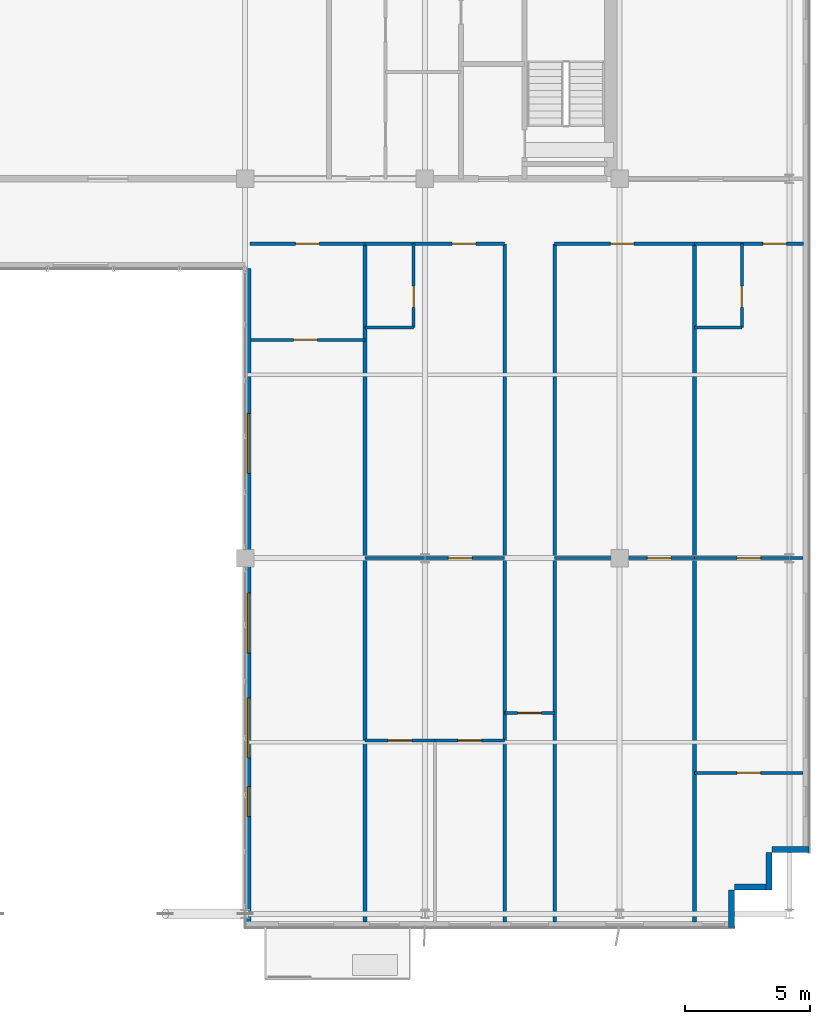
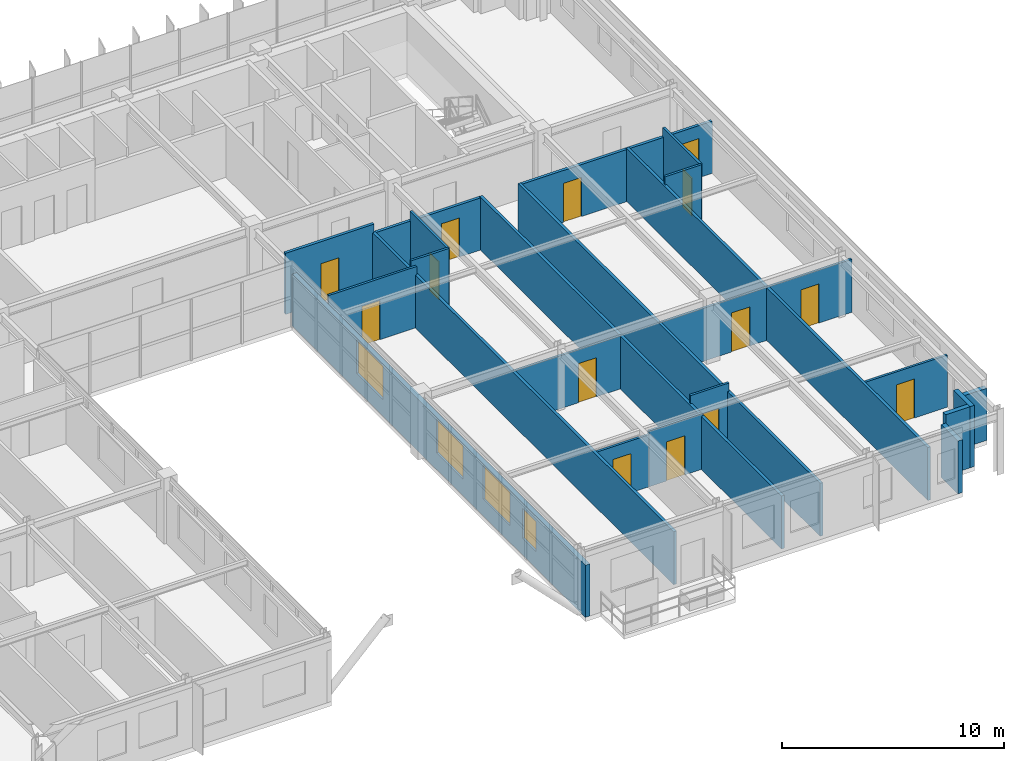
# One storey, part 29 of 34: 25 walls, 14 doors, 4 windows, 18 openings.
"""IFC4 building model written with IfcOpenShell, lengths in metres."""

from ifc_helpers import new_model, si_unit, direction, frame, frame_2d, origin, place, context, subcontext, project, spatial, rectangle, extrude, source, transform, mapped, material, layer, layer_set, type_object, element, fill, save


model = new_model("IFC4")

# Units and contexts
model_context = context("Model", 3, precision=1e-05, world=origin(), true_north=direction((0.0, 1.0)))
body_context = subcontext(model_context, "Body", "Model", "MODEL_VIEW")
ifc_project = project(units=[si_unit("LENGTHUNIT", "METRE"), si_unit("AREAUNIT", "SQUARE_METRE"), si_unit("VOLUMEUNIT", "CUBIC_METRE"), si_unit("PLANEANGLEUNIT", "RADIAN"), si_unit("MASSUNIT", "GRAM", prefix="KILO")], contexts=[model_context])

# Site, building, storey
site_placement = place(None, origin())
site = spatial("IfcSite", under=ifc_project, at=site_placement, CompositionType="ELEMENT")
building_placement = place(site_placement, origin())
building = spatial("IfcBuilding", under=site, at=building_placement, Name="Trelvane Seafront Commons", CompositionType="ELEMENT")
storey_placement = place(building_placement, frame((0.0, 0.0, 197.699951171875)))
storey = spatial("IfcBuildingStorey", under=building, at=storey_placement, Name="L51", CompositionType="ELEMENT", Elevation=197.699951171875)

# Walls
ifc_material_1 = material(Name="Precast concrete C40/50", Category="concrete")
ifc_layer_1 = layer(ifc_material_1, 0.239990234375, Name="ARCH-WALL-EXT240")
ifc_layer_set_1 = layer_set([ifc_layer_1], Name="Precast concrete C40/50")
wall_type_1 = type_object("IfcWallType", Name="ARCH-WALL-EXT240", PredefinedType="SOLIDWALL", material=ifc_layer_set_1)
wall_1_placement = place(storey_placement, frame((66.39990234375, 6.52001953125, 0.0), z_axis=(0.0, 0.0, 1.0), x_axis=(-1.0, 0.0, 0.0)))
element("IfcWall", 1, at=wall_1_placement, inside=storey, type_object=wall_type_1, Name="EW-L51-01022", PredefinedType="SOLIDWALL", context=body_context, shape_type="SweptSolid", body=[
    extrude(rectangle(XDim=1.5, YDim=0.239990234375, at=frame_2d((0.75, 0.0))), origin(), (0.0, 0.0, 1.0), 2.860107421875),
])
for number, where, z_axis, x_axis, name in (
    (2, (64.780029296875, 6.39990234375, 0.0), (0.0, 0.0, 1.0), (0.0, -1.0, 0.0), "EW-L51-01023"),
    (3, (64.89990234375, 5.02001953125, 0.0), (0.0, 0.0, 1.0), (-1.0, 0.0, 0.0), "EW-L51-01024"),
):
    element("IfcWall", number, at=place(storey_placement, frame(where, z_axis=z_axis, x_axis=x_axis)), inside=storey, type_object=wall_type_1, Name=name, PredefinedType="SOLIDWALL", context=body_context, shape_type="SweptSolid", body=[
        extrude(rectangle(XDim=1.5, YDim=0.239990234375, at=frame_2d((0.75, 0.0))), origin(), (0.0, 0.0, 1.0), 3.360107421875),
    ])
wall_2_placement = place(storey_placement, frame((63.280029296875, 4.89990234375, 0.0), z_axis=(0.0, 0.0, 1.0), x_axis=(0.0, -1.0, 0.0)))
element("IfcWall", 4, at=wall_2_placement, inside=storey, type_object=wall_type_1, Name="EW-L51-01025", PredefinedType="SOLIDWALL", context=body_context, shape_type="SweptSolid", body=[
    extrude(rectangle(XDim=1.5, YDim=0.239990234375, at=frame_2d((0.75, 0.0))), origin(), (0.0, 0.0, 1.0), 2.91015625),
])

# Wall, openings, windows
wall_3_placement = place(storey_placement, frame((43.919921875, 3.39990234375, 0.0), z_axis=(0.0, 0.0, 1.0), x_axis=(0.0, 1.0, 0.0)))
wall_3 = element("IfcWall", 5, at=wall_3_placement, inside=storey, type_object=wall_type_1, Name="EW-L51-01027", PredefinedType="SOLIDWALL", context=body_context, shape_type="SweptSolid", body=[
    extrude(rectangle(XDim=26.400146484375, YDim=0.239990234375, at=frame_2d((13.2001953125, 0.0))), origin(), (0.0, 0.0, 1.0), 2.860107421875),
])
opening_1_placement = place(wall_3_placement, frame((4.449951171875, 0.0, 0.919921875)))
opening_1 = element("IfcOpeningElement", 6, at=opening_1_placement, cuts=wall_3, Name="Opening W05", PredefinedType="OPENING", context=body_context, shape_type="SweptSolid", body=[
    extrude(rectangle(XDim=1.199951171875, YDim=1.64990234375, at=frame_2d((0.60009765625, 0.824951171875))), frame((0.0, 0.1298828125, 0.0), z_axis=(0.0, -1.0, 0.0), x_axis=(1.0, 0.0, 0.0)), (0.0, 0.0, 1.0), 0.260009765625),
])
opening_2_placement = place(wall_3_placement, frame((6.800048828125, 0.0, 0.919921875)))
opening_2 = element("IfcOpeningElement", 7, at=opening_2_placement, cuts=wall_3, Name="Opening W08", PredefinedType="OPENING", context=body_context, shape_type="SweptSolid", body=[
    extrude(rectangle(XDim=2.39990234375, YDim=1.840087890625, at=frame_2d((1.199951171875, 0.919921875))), frame((0.0, 0.1298828125, 0.0), z_axis=(0.0, -1.0, 0.0), x_axis=(1.0, 0.0, 0.0)), (0.0, 0.0, 1.0), 0.260009765625),
])
opening_3_placement = place(wall_3_placement, frame((11.0, 0.0, 0.919921875)))
opening_3 = element("IfcOpeningElement", 8, at=opening_3_placement, cuts=wall_3, Name="Opening W08", PredefinedType="OPENING", context=body_context, shape_type="SweptSolid", body=[
    extrude(rectangle(XDim=2.39990234375, YDim=1.840087890625, at=frame_2d((1.199951171875, 0.919921875))), frame((0.0, 0.1298828125, 0.0), z_axis=(0.0, -1.0, 0.0), x_axis=(1.0, 0.0, 0.0)), (0.0, 0.0, 1.0), 0.260009765625),
])
opening_4_placement = place(wall_3_placement, frame((18.199951171875, 0.0, 0.919921875)))
opening_4 = element("IfcOpeningElement", 9, at=opening_4_placement, cuts=wall_3, Name="Opening W08", PredefinedType="OPENING", context=body_context, shape_type="SweptSolid", body=[
    extrude(rectangle(XDim=2.39990234375, YDim=1.840087890625, at=frame_2d((1.199951171875, 0.919921875))), frame((0.0, 0.1298828125, 0.0), z_axis=(0.0, -1.0, 0.0), x_axis=(1.0, 0.0, 0.0)), (0.0, 0.0, 1.0), 0.260009765625),
])
ifc_material_2 = material(Name="Low-E coastal double glazing", Category="glass")
window_type_1 = type_object("IfcWindowType", Name="ARCH-WIN-W05", PartitioningType="SINGLE_PANEL", PredefinedType="WINDOW", material=ifc_material_2)
shared_shape_1 = source(origin(), body_context, "Body", "SweptSolid", [
    extrude(rectangle(XDim=1.199951171875, YDim=1.64990234375, at=frame_2d((0.60009765625, 0.824951171875))), frame((0.0, 0.030029296875, 0.0), z_axis=(0.0, -1.0, 0.0), x_axis=(1.0, 0.0, 0.0)), (0.0, 0.0, 1.0), 0.06005859375),
])
window_1_placement = place(opening_1_placement, origin())
window_1 = element("IfcWindow", 10, at=window_1_placement, inside=storey, type_object=window_type_1, Name="WIN-L51-EW-01221", OverallHeight=1.64990234375, OverallWidth=1.199951171875, PartitioningType="SINGLE_PANEL", PredefinedType="WINDOW", context=body_context, shape_type="MappedRepresentation", body=[
    mapped(shared_shape_1, transform((0.0, 0.0, 0.0), x_axis=(1.0, 0.0, 0.0), y_axis=(0.0, 1.0, 0.0), z_axis=(0.0, 0.0, 1.0), scale=1.0)),
])
fill(opening_1, window_1)
window_type_2 = type_object("IfcWindowType", Name="ARCH-WIN-W08", PartitioningType="SINGLE_PANEL", PredefinedType="WINDOW", material=ifc_material_2)
shared_shape_2 = source(origin(), body_context, "Body", "SweptSolid", [
    extrude(rectangle(XDim=2.39990234375, YDim=1.840087890625, at=frame_2d((1.199951171875, 0.919921875))), frame((0.0, 0.030029296875, 0.0), z_axis=(0.0, -1.0, 0.0), x_axis=(1.0, 0.0, 0.0)), (0.0, 0.0, 1.0), 0.06005859375),
])
window_2_placement = place(opening_2_placement, origin())
window_2 = element("IfcWindow", 11, at=window_2_placement, inside=storey, type_object=window_type_2, Name="WIN-L51-EW-01222", OverallHeight=1.840087890625, OverallWidth=2.39990234375, PartitioningType="SINGLE_PANEL", PredefinedType="WINDOW", context=body_context, shape_type="MappedRepresentation", body=[
    mapped(shared_shape_2, transform((0.0, 0.0, 0.0), x_axis=(1.0, 0.0, 0.0), y_axis=(0.0, 1.0, 0.0), z_axis=(0.0, 0.0, 1.0), scale=1.0)),
])
fill(opening_2, window_2)
window_3_placement = place(opening_3_placement, origin())
window_3 = element("IfcWindow", 12, at=window_3_placement, inside=storey, type_object=window_type_2, Name="WIN-L51-EW-01223", OverallHeight=1.840087890625, OverallWidth=2.39990234375, PartitioningType="SINGLE_PANEL", PredefinedType="WINDOW", context=body_context, shape_type="MappedRepresentation", body=[
    mapped(shared_shape_2, transform((0.0, 0.0, 0.0), x_axis=(1.0, 0.0, 0.0), y_axis=(0.0, 1.0, 0.0), z_axis=(0.0, 0.0, 1.0), scale=1.0)),
])
fill(opening_3, window_3)
window_4_placement = place(opening_4_placement, origin())
window_4 = element("IfcWindow", 13, at=window_4_placement, inside=storey, type_object=window_type_2, Name="WIN-L51-EW-01224", OverallHeight=1.840087890625, OverallWidth=2.39990234375, PartitioningType="SINGLE_PANEL", PredefinedType="WINDOW", context=body_context, shape_type="MappedRepresentation", body=[
    mapped(shared_shape_2, transform((0.0, 0.0, 0.0), x_axis=(1.0, 0.0, 0.0), y_axis=(0.0, 1.0, 0.0), z_axis=(0.0, 0.0, 1.0), scale=1.0)),
])
fill(opening_4, window_4)

# Wall, opening, door
ifc_material_3 = material(Name="Gypsum Drywall Acoustic Partition")
ifc_layer_2 = layer(ifc_material_3, 0.1201171875, Name="ARCH-WALL-PART120")
ifc_layer_set_2 = layer_set([ifc_layer_2], Name="Gypsum Drywall Acoustic Partition")
wall_type_2 = type_object("IfcWallType", Name="ARCH-WALL-PART120", PredefinedType="PARTITIONING", material=ifc_layer_set_2)
wall_4_placement = place(storey_placement, frame((44.02490234375, 26.949951171875, 0.0), z_axis=(0.0, 0.0, 1.0), x_axis=(1.0, 0.0, 0.0)))
wall_4 = element("IfcWall", 14, at=wall_4_placement, inside=storey, type_object=wall_type_2, Name="W-L51-U7-DIV-070", PredefinedType="PARTITIONING", context=body_context, shape_type="SweptSolid", body=[
    extrude(rectangle(XDim=4.5751953125, YDim=0.1201171875, at=frame_2d((2.28759765625, 0.0))), origin(), (0.0, 0.0, 1.0), 3.360107421875),
])
opening_5_placement = place(wall_4_placement, frame((1.717041015625, 0.0, 0.0)))
opening_5 = element("IfcOpeningElement", 15, at=opening_5_placement, cuts=wall_4, Name="Opening D-L51-43", PredefinedType="OPENING", context=body_context, shape_type="SweptSolid", body=[
    extrude(rectangle(XDim=0.949951171875, YDim=2.14990234375, at=frame_2d((0.47509765625, 1.074951171875))), frame((0.0, 0.070068359375, 0.0), z_axis=(0.0, -1.0, 0.0), x_axis=(1.0, 0.0, 0.0)), (0.0, 0.0, 1.0), 0.14013671875),
])
ifc_material_4 = material(Name="Acoustic timber door leaf", Category="wood")
door_type_1 = type_object("IfcDoorType", Name="ARCH-DR-INT950", OperationType="NOTDEFINED", PredefinedType="DOOR", material=ifc_material_4)
shared_shape_3 = source(origin(), body_context, "Body", "SweptSolid", [
    extrude(rectangle(XDim=0.949951171875, YDim=2.14990234375, at=frame_2d((0.47509765625, 1.074951171875))), frame((0.0, 0.02490234375, 0.0), z_axis=(0.0, -1.0, 0.0), x_axis=(1.0, 0.0, 0.0)), (0.0, 0.0, 1.0), 0.050048828125),
])
door_1_placement = place(opening_5_placement, origin())
door_1 = element("IfcDoor", 16, at=door_1_placement, inside=storey, type_object=door_type_1, Name="L51 Door 43", OperationType="SINGLE_SWING_LEFT", OverallHeight=2.14990234375, OverallWidth=0.949951171875, PredefinedType="DOOR", context=body_context, shape_type="MappedRepresentation", body=[
    mapped(shared_shape_3, transform((0.0, 0.0, 0.0), x_axis=(1.0, 0.0, 0.0), y_axis=(0.0, 1.0, 0.0), z_axis=(0.0, 0.0, 1.0), scale=1.0)),
])
fill(opening_5, door_1)

wall_5_placement = place(storey_placement, frame((48.60009765625, 18.199951171875, 0.0), z_axis=(0.0, 0.0, 1.0), x_axis=(1.0, 0.0, 0.0)))
wall_5 = element("IfcWall", 17, at=wall_5_placement, inside=storey, type_object=wall_type_2, Name="W-L51-U8-KL-071", PredefinedType="PARTITIONING", context=body_context, shape_type="SweptSolid", body=[
    extrude(rectangle(XDim=5.599853515625, YDim=0.1201171875, at=frame_2d((2.7998046875, 0.0))), origin(), (0.0, 0.0, 1.0), 2.91015625),
])
opening_6_placement = place(wall_5_placement, frame((3.343994140625, 0.0, 0.0)))
opening_6 = element("IfcOpeningElement", 18, at=opening_6_placement, cuts=wall_5, Name="Opening D-L51-44", PredefinedType="OPENING", context=body_context, shape_type="SweptSolid", body=[
    extrude(rectangle(XDim=0.949951171875, YDim=2.14990234375, at=frame_2d((0.47509765625, 1.074951171875))), frame((0.0, 0.070068359375, 0.0), z_axis=(0.0, -1.0, 0.0), x_axis=(1.0, 0.0, 0.0)), (0.0, 0.0, 1.0), 0.14013671875),
])
door_2_placement = place(opening_6_placement, origin())
door_2 = element("IfcDoor", 19, at=door_2_placement, inside=storey, type_object=door_type_1, Name="L51 Door 44", OperationType="SINGLE_SWING_RIGHT", OverallHeight=2.14990234375, OverallWidth=0.949951171875, PredefinedType="DOOR", context=body_context, shape_type="MappedRepresentation", body=[
    mapped(shared_shape_3, transform((0.0, 0.0, 0.0), x_axis=(1.0, 0.0, 0.0), y_axis=(0.0, 1.0, 0.0), z_axis=(0.0, 0.0, 1.0), scale=1.0)),
])
fill(opening_6, door_2)

wall_6_placement = place(storey_placement, frame((50.553955078125, 27.449951171875, 0.0), z_axis=(0.0, 0.0, 1.0), x_axis=(0.0, 1.0, 0.0)))
wall_6 = element("IfcWall", 20, at=wall_6_placement, inside=storey, type_object=wall_type_2, Name="W-L51-U8-BE-072", PredefinedType="PARTITIONING", context=body_context, shape_type="SweptSolid", body=[
    extrude(rectangle(XDim=3.35009765625, YDim=0.1201171875, at=frame_2d((1.675048828125, 0.0))), origin(), (0.0, 0.0, 1.0), 3.360107421875),
])
opening_7_placement = place(wall_6_placement, frame((0.800048828125, 0.0, 0.0)))
opening_7 = element("IfcOpeningElement", 21, at=opening_7_placement, cuts=wall_6, Name="Opening D-L51-45", PredefinedType="OPENING", context=body_context, shape_type="SweptSolid", body=[
    extrude(rectangle(XDim=0.85009765625, YDim=2.10009765625, at=frame_2d((0.425048828125, 1.050048828125))), frame((0.0, 0.070068359375, 0.0), z_axis=(0.0, -1.0, 0.0), x_axis=(1.0, 0.0, 0.0)), (0.0, 0.0, 1.0), 0.14013671875),
])
door_type_2 = type_object("IfcDoorType", Name="ARCH-DR-INT850", OperationType="NOTDEFINED", PredefinedType="DOOR", material=ifc_material_4)
shared_shape_4 = source(origin(), body_context, "Body", "SweptSolid", [
    extrude(rectangle(XDim=0.85009765625, YDim=2.10009765625, at=frame_2d((0.425048828125, 1.050048828125))), frame((0.0, 0.02490234375, 0.0), z_axis=(0.0, -1.0, 0.0), x_axis=(1.0, 0.0, 0.0)), (0.0, 0.0, 1.0), 0.050048828125),
])
door_3_placement = place(opening_7_placement, origin())
door_3 = element("IfcDoor", 22, at=door_3_placement, inside=storey, type_object=door_type_2, Name="L51 Door 45", OperationType="SINGLE_SWING_LEFT", OverallHeight=2.10009765625, OverallWidth=0.85009765625, PredefinedType="DOOR", context=body_context, shape_type="MappedRepresentation", body=[
    mapped(shared_shape_4, transform((0.0, 0.0, 0.0), x_axis=(1.0, 0.0, 0.0), y_axis=(0.0, 1.0, 0.0), z_axis=(0.0, 0.0, 1.0), scale=1.0)),
])
fill(opening_7, door_3)

# Wall
wall_7_placement = place(storey_placement, frame((48.60009765625, 27.449951171875, 0.0), z_axis=(0.0, 0.0, 1.0), x_axis=(1.0, 0.0, 0.0)))
element("IfcWall", 23, at=wall_7_placement, inside=storey, type_object=wall_type_2, Name="W-L51-U8-BS-073", PredefinedType="PARTITIONING", context=body_context, shape_type="SweptSolid", body=[
    extrude(rectangle(XDim=1.953857421875, YDim=0.1201171875, at=frame_2d((0.97705078125, 0.0))), origin(), (0.0, 0.0, 1.0), 3.360107421875),
])

# Wall, opening, door
wall_8_placement = place(storey_placement, frame((48.60009765625, 10.89990234375, 0.0), z_axis=(0.0, 0.0, 1.0), x_axis=(1.0, 0.0, 0.0)))
wall_8 = element("IfcWall", 24, at=wall_8_placement, inside=storey, type_object=wall_type_2, Name="W-L51-U8-YM-1-075", PredefinedType="PARTITIONING", context=body_context, shape_type="SweptSolid", body=[
    extrude(rectangle(XDim=2.7998046875, YDim=0.1201171875, at=frame_2d((1.39990234375, 0.0))), origin(), (0.0, 0.0, 1.0), 2.860107421875),
])
opening_8_placement = place(wall_8_placement, frame((0.925048828125, 0.0, 0.0)))
opening_8 = element("IfcOpeningElement", 25, at=opening_8_placement, cuts=wall_8, Name="Opening D-L51-47", PredefinedType="OPENING", context=body_context, shape_type="SweptSolid", body=[
    extrude(rectangle(XDim=0.949951171875, YDim=2.14990234375, at=frame_2d((0.47509765625, 1.074951171875))), frame((0.0, 0.070068359375, 0.0), z_axis=(0.0, -1.0, 0.0), x_axis=(1.0, 0.0, 0.0)), (0.0, 0.0, 1.0), 0.14013671875),
])
door_4_placement = place(opening_8_placement, origin())
door_4 = element("IfcDoor", 26, at=door_4_placement, inside=storey, type_object=door_type_1, Name="L51 Door 47", OperationType="SINGLE_SWING_LEFT", OverallHeight=2.14990234375, OverallWidth=0.949951171875, PredefinedType="DOOR", context=body_context, shape_type="MappedRepresentation", body=[
    mapped(shared_shape_3, transform((0.0, 0.0, 0.0), x_axis=(1.0, 0.0, 0.0), y_axis=(0.0, 1.0, 0.0), z_axis=(0.0, 0.0, 1.0), scale=1.0)),
])
fill(opening_8, door_4)

wall_9_placement = place(storey_placement, frame((51.39990234375, 10.89990234375, 0.0), z_axis=(0.0, 0.0, 1.0), x_axis=(1.0, 0.0, 0.0)))
wall_9 = element("IfcWall", 27, at=wall_9_placement, inside=storey, type_object=wall_type_2, Name="W-L51-U8-YM-2-076", PredefinedType="PARTITIONING", context=body_context, shape_type="SweptSolid", body=[
    extrude(rectangle(XDim=2.800048828125, YDim=0.1201171875, at=frame_2d((1.39990234375, 0.0))), origin(), (0.0, 0.0, 1.0), 3.06005859375),
])
opening_9_placement = place(wall_9_placement, frame((0.925048828125, 0.0, 0.0)))
opening_9 = element("IfcOpeningElement", 28, at=opening_9_placement, cuts=wall_9, Name="Opening D-L51-48", PredefinedType="OPENING", context=body_context, shape_type="SweptSolid", body=[
    extrude(rectangle(XDim=0.949951171875, YDim=2.14990234375, at=frame_2d((0.47509765625, 1.074951171875))), frame((0.0, 0.070068359375, 0.0), z_axis=(0.0, -1.0, 0.0), x_axis=(1.0, 0.0, 0.0)), (0.0, 0.0, 1.0), 0.14013671875),
])
door_5_placement = place(opening_9_placement, origin())
door_5 = element("IfcDoor", 29, at=door_5_placement, inside=storey, type_object=door_type_1, Name="L51 Door 48", OperationType="SINGLE_SWING_RIGHT", OverallHeight=2.14990234375, OverallWidth=0.949951171875, PredefinedType="DOOR", context=body_context, shape_type="MappedRepresentation", body=[
    mapped(shared_shape_3, transform((0.0, 0.0, 0.0), x_axis=(1.0, 0.0, 0.0), y_axis=(0.0, 1.0, 0.0), z_axis=(0.0, 0.0, 1.0), scale=1.0)),
])
fill(opening_9, door_5)

wall_10_placement = place(storey_placement, frame((54.199951171875, 12.0, 0.0), z_axis=(0.0, 0.0, 1.0), x_axis=(1.0, 0.0, 0.0)))
wall_10 = element("IfcWall", 30, at=wall_10_placement, inside=storey, type_object=wall_type_2, Name="W-L51-ARM-END-9-080", PredefinedType="PARTITIONING", context=body_context, shape_type="SweptSolid", body=[
    extrude(rectangle(XDim=2.0, YDim=0.1201171875, at=frame_2d((1.0, 0.0))), origin(), (0.0, 0.0, 1.0), 3.360107421875),
])
opening_10_placement = place(wall_10_placement, frame((0.52001953125, 0.0, 0.0)))
opening_10 = element("IfcOpeningElement", 31, at=opening_10_placement, cuts=wall_10, Name="Opening D-L51-49", PredefinedType="OPENING", context=body_context, shape_type="SweptSolid", body=[
    extrude(rectangle(XDim=0.949951171875, YDim=2.14990234375, at=frame_2d((0.47509765625, 1.074951171875))), frame((0.0, 0.070068359375, 0.0), z_axis=(0.0, -1.0, 0.0), x_axis=(1.0, 0.0, 0.0)), (0.0, 0.0, 1.0), 0.14013671875),
])
door_6_placement = place(opening_10_placement, origin())
door_6 = element("IfcDoor", 32, at=door_6_placement, inside=storey, type_object=door_type_1, Name="L51 Door 49", OperationType="SINGLE_SWING_LEFT", OverallHeight=2.14990234375, OverallWidth=0.949951171875, PredefinedType="DOOR", context=body_context, shape_type="MappedRepresentation", body=[
    mapped(shared_shape_3, transform((0.0, 0.0, 0.0), x_axis=(1.0, 0.0, 0.0), y_axis=(0.0, 1.0, 0.0), z_axis=(0.0, 0.0, 1.0), scale=1.0)),
])
fill(opening_10, door_6)

wall_11_placement = place(storey_placement, frame((56.199951171875, 18.199951171875, 0.0), z_axis=(0.0, 0.0, 1.0), x_axis=(1.0, 0.0, 0.0)))
wall_11 = element("IfcWall", 33, at=wall_11_placement, inside=storey, type_object=wall_type_2, Name="W-L51-U10-DIV-082", PredefinedType="PARTITIONING", context=body_context, shape_type="SweptSolid", body=[
    extrude(rectangle(XDim=5.60009765625, YDim=0.1201171875, at=frame_2d((2.800048828125, 0.0))), origin(), (0.0, 0.0, 1.0), 2.91015625),
])
opening_11_placement = place(wall_11_placement, frame((3.714111328125, 0.0, 0.0)))
opening_11 = element("IfcOpeningElement", 34, at=opening_11_placement, cuts=wall_11, Name="Opening D-L51-51", PredefinedType="OPENING", context=body_context, shape_type="SweptSolid", body=[
    extrude(rectangle(XDim=0.949951171875, YDim=2.14990234375, at=frame_2d((0.47509765625, 1.074951171875))), frame((0.0, 0.070068359375, 0.0), z_axis=(0.0, -1.0, 0.0), x_axis=(1.0, 0.0, 0.0)), (0.0, 0.0, 1.0), 0.14013671875),
])
door_7_placement = place(opening_11_placement, origin())
door_7 = element("IfcDoor", 35, at=door_7_placement, inside=storey, type_object=door_type_1, Name="L51 Door 51", OperationType="SINGLE_SWING_LEFT", OverallHeight=2.14990234375, OverallWidth=0.949951171875, PredefinedType="DOOR", context=body_context, shape_type="MappedRepresentation", body=[
    mapped(shared_shape_3, transform((0.0, 0.0, 0.0), x_axis=(1.0, 0.0, 0.0), y_axis=(0.0, 1.0, 0.0), z_axis=(0.0, 0.0, 1.0), scale=1.0)),
])
fill(opening_11, door_7)

wall_12_placement = place(storey_placement, frame((61.800048828125, 18.199951171875, 0.0), z_axis=(0.0, 0.0, 1.0), x_axis=(1.0, 0.0, 0.0)))
wall_12 = element("IfcWall", 36, at=wall_12_placement, inside=storey, type_object=wall_type_2, Name="W-L51-U11-KL-083", PredefinedType="PARTITIONING", context=body_context, shape_type="SweptSolid", body=[
    extrude(rectangle(XDim=4.35986328125, YDim=0.1201171875, at=frame_2d((2.179931640625, 0.0))), origin(), (0.0, 0.0, 1.0), 2.91015625),
])
opening_12_placement = place(wall_12_placement, frame((1.705078125, 0.0, 0.0)))
opening_12 = element("IfcOpeningElement", 37, at=opening_12_placement, cuts=wall_12, Name="Opening D-L51-52", PredefinedType="OPENING", context=body_context, shape_type="SweptSolid", body=[
    extrude(rectangle(XDim=0.949951171875, YDim=2.14990234375, at=frame_2d((0.47509765625, 1.074951171875))), frame((0.0, 0.070068359375, 0.0), z_axis=(0.0, -1.0, 0.0), x_axis=(1.0, 0.0, 0.0)), (0.0, 0.0, 1.0), 0.14013671875),
])
door_8_placement = place(opening_12_placement, origin())
door_8 = element("IfcDoor", 38, at=door_8_placement, inside=storey, type_object=door_type_1, Name="L51 Door 52", OperationType="SINGLE_SWING_RIGHT", OverallHeight=2.14990234375, OverallWidth=0.949951171875, PredefinedType="DOOR", context=body_context, shape_type="MappedRepresentation", body=[
    mapped(shared_shape_3, transform((0.0, 0.0, 0.0), x_axis=(1.0, 0.0, 0.0), y_axis=(0.0, 1.0, 0.0), z_axis=(0.0, 0.0, 1.0), scale=1.0)),
])
fill(opening_12, door_8)

wall_13_placement = place(storey_placement, frame((63.699951171875, 27.449951171875, 0.0), z_axis=(0.0, 0.0, 1.0), x_axis=(0.0, 1.0, 0.0)))
wall_13 = element("IfcWall", 39, at=wall_13_placement, inside=storey, type_object=wall_type_2, Name="W-L51-U11-BE-084", PredefinedType="PARTITIONING", context=body_context, shape_type="SweptSolid", body=[
    extrude(rectangle(XDim=3.35009765625, YDim=0.1201171875, at=frame_2d((1.675048828125, 0.0))), origin(), (0.0, 0.0, 1.0), 3.360107421875),
])
opening_13_placement = place(wall_13_placement, frame((0.800048828125, 0.0, 0.0)))
opening_13 = element("IfcOpeningElement", 40, at=opening_13_placement, cuts=wall_13, Name="Opening D-L51-53", PredefinedType="OPENING", context=body_context, shape_type="SweptSolid", body=[
    extrude(rectangle(XDim=0.85009765625, YDim=2.10009765625, at=frame_2d((0.425048828125, 1.050048828125))), frame((0.0, 0.070068359375, 0.0), z_axis=(0.0, -1.0, 0.0), x_axis=(1.0, 0.0, 0.0)), (0.0, 0.0, 1.0), 0.14013671875),
])
door_9_placement = place(opening_13_placement, origin())
door_9 = element("IfcDoor", 41, at=door_9_placement, inside=storey, type_object=door_type_2, Name="L51 Door 53", OperationType="SINGLE_SWING_LEFT", OverallHeight=2.10009765625, OverallWidth=0.85009765625, PredefinedType="DOOR", context=body_context, shape_type="MappedRepresentation", body=[
    mapped(shared_shape_4, transform((0.0, 0.0, 0.0), x_axis=(1.0, 0.0, 0.0), y_axis=(0.0, 1.0, 0.0), z_axis=(0.0, 0.0, 1.0), scale=1.0)),
])
fill(opening_13, door_9)

# Wall
wall_14_placement = place(storey_placement, frame((61.800048828125, 27.449951171875, 0.0), z_axis=(0.0, 0.0, 1.0), x_axis=(1.0, 0.0, 0.0)))
element("IfcWall", 42, at=wall_14_placement, inside=storey, type_object=wall_type_2, Name="W-L51-U11-BS-085", PredefinedType="PARTITIONING", context=body_context, shape_type="SweptSolid", body=[
    extrude(rectangle(XDim=1.89990234375, YDim=0.1201171875, at=frame_2d((0.949951171875, 0.0))), origin(), (0.0, 0.0, 1.0), 3.360107421875),
])

# Wall, opening, door
wall_15_placement = place(storey_placement, frame((61.800048828125, 9.60009765625, 0.0), z_axis=(0.0, 0.0, 1.0), x_axis=(1.0, 0.0, 0.0)))
wall_15 = element("IfcWall", 43, at=wall_15_placement, inside=storey, type_object=wall_type_2, Name="W-L51-U11-YM-1-087", PredefinedType="PARTITIONING", context=body_context, shape_type="SweptSolid", body=[
    extrude(rectangle(XDim=4.35986328125, YDim=0.1201171875, at=frame_2d((2.179931640625, 0.0))), origin(), (0.0, 0.0, 1.0), 2.860107421875),
])
opening_14_placement = place(wall_15_placement, frame((1.705078125, 0.0, 0.0)))
opening_14 = element("IfcOpeningElement", 44, at=opening_14_placement, cuts=wall_15, Name="Opening D-L51-55", PredefinedType="OPENING", context=body_context, shape_type="SweptSolid", body=[
    extrude(rectangle(XDim=0.949951171875, YDim=2.14990234375, at=frame_2d((0.47509765625, 1.074951171875))), frame((0.0, 0.070068359375, 0.0), z_axis=(0.0, -1.0, 0.0), x_axis=(1.0, 0.0, 0.0)), (0.0, 0.0, 1.0), 0.14013671875),
])
door_10_placement = place(opening_14_placement, origin())
door_10 = element("IfcDoor", 45, at=door_10_placement, inside=storey, type_object=door_type_1, Name="L51 Door 55", OperationType="SINGLE_SWING_LEFT", OverallHeight=2.14990234375, OverallWidth=0.949951171875, PredefinedType="DOOR", context=body_context, shape_type="MappedRepresentation", body=[
    mapped(shared_shape_3, transform((0.0, 0.0, 0.0), x_axis=(1.0, 0.0, 0.0), y_axis=(0.0, 1.0, 0.0), z_axis=(0.0, 0.0, 1.0), scale=1.0)),
])
fill(opening_14, door_10)

# Walls
ifc_layer_3 = layer(ifc_material_3, 0.14990234375, Name="ARCH-WALL-PART150")
ifc_layer_set_3 = layer_set([ifc_layer_3], Name="Gypsum Drywall Acoustic Partition")
wall_type_3 = type_object("IfcWallType", Name="ARCH-WALL-PART150", PredefinedType="PARTITIONING", material=ifc_layer_set_3)
for number, where, z_axis, x_axis, name in (
    (46, (48.60009765625, 3.625, 0.0), (0.0, 0.0, 1.0), (0.0, 1.0, 0.0), "W-L51-PW-7-048"),
    (47, (61.800048828125, 3.625, 0.0), (0.0, 0.0, 1.0), (0.0, 1.0, 0.0), "W-L51-PW-10-049"),
):
    element("IfcWall", number, at=place(storey_placement, frame(where, z_axis=z_axis, x_axis=x_axis)), inside=storey, type_object=wall_type_3, Name=name, PredefinedType="PARTITIONING", context=body_context, shape_type="SweptSolid", body=[
        extrude(rectangle(XDim=27.175048828125, YDim=0.14990234375, at=frame_2d((13.58740234375, 0.0))), origin(), (0.0, 0.0, 1.0), 2.91015625),
    ])

# Wall, opening, door
wall_16_placement = place(storey_placement, frame((44.0, 30.800048828125, 0.0), z_axis=(0.0, 0.0, 1.0), x_axis=(1.0, 0.0, 0.0)))
wall_16 = element("IfcWall", 48, at=wall_16_placement, inside=storey, type_object=wall_type_3, Name="W-L51-CS-BAY-7-069", PredefinedType="PARTITIONING", context=body_context, shape_type="SweptSolid", body=[
    extrude(rectangle(XDim=4.60009765625, YDim=0.14990234375, at=frame_2d((2.300048828125, 0.0))), origin(), (0.0, 0.0, 1.0), 3.360107421875),
])
opening_15_placement = place(wall_16_placement, frame((1.824951171875, 0.0, 0.0)))
opening_15 = element("IfcOpeningElement", 49, at=opening_15_placement, cuts=wall_16, Name="Opening FD-L51-42", PredefinedType="OPENING", context=body_context, shape_type="SweptSolid", body=[
    extrude(rectangle(XDim=0.949951171875, YDim=2.14990234375, at=frame_2d((0.47509765625, 1.074951171875))), frame((0.0, 0.0849609375, 0.0), z_axis=(0.0, -1.0, 0.0), x_axis=(1.0, 0.0, 0.0)), (0.0, 0.0, 1.0), 0.169921875),
])
ifc_material_5 = material(Name="Powder-coated aluminium frame", Category="aluminium")
door_type_3 = type_object("IfcDoorType", Name="ARCH-DR-FD60-950", OperationType="NOTDEFINED", PredefinedType="DOOR", material=ifc_material_5)
door_11_placement = place(opening_15_placement, origin())
door_11 = element("IfcDoor", 50, at=door_11_placement, inside=storey, type_object=door_type_3, Name="L51 Bay 07 Entrance Door", OperationType="SINGLE_SWING_RIGHT", OverallHeight=2.14990234375, OverallWidth=0.949951171875, PredefinedType="DOOR", context=body_context, shape_type="MappedRepresentation", body=[
    mapped(shared_shape_3, transform((0.0, 0.0, 0.0), x_axis=(1.0, 0.0, 0.0), y_axis=(0.0, 1.0, 0.0), z_axis=(0.0, 0.0, 1.0), scale=1.0)),
])
fill(opening_15, door_11)

wall_17_placement = place(storey_placement, frame((48.60009765625, 30.800048828125, 0.0), z_axis=(0.0, 0.0, 1.0), x_axis=(1.0, 0.0, 0.0)))
wall_17 = element("IfcWall", 51, at=wall_17_placement, inside=storey, type_object=wall_type_3, Name="W-L51-CS-BAY-8-074", PredefinedType="PARTITIONING", context=body_context, shape_type="SweptSolid", body=[
    extrude(rectangle(XDim=5.599853515625, YDim=0.14990234375, at=frame_2d((2.7998046875, 0.0))), origin(), (0.0, 0.0, 1.0), 2.860107421875),
])
opening_16_placement = place(wall_17_placement, frame((3.491943359375, 0.0, 0.0)))
opening_16 = element("IfcOpeningElement", 52, at=opening_16_placement, cuts=wall_17, Name="Opening FD-L51-46", PredefinedType="OPENING", context=body_context, shape_type="SweptSolid", body=[
    extrude(rectangle(XDim=0.949951171875, YDim=2.14990234375, at=frame_2d((0.47509765625, 1.074951171875))), frame((0.0, 0.0849609375, 0.0), z_axis=(0.0, -1.0, 0.0), x_axis=(1.0, 0.0, 0.0)), (0.0, 0.0, 1.0), 0.169921875),
])
door_12_placement = place(opening_16_placement, origin())
door_12 = element("IfcDoor", 53, at=door_12_placement, inside=storey, type_object=door_type_3, Name="L51 Unit 08 Entrance Door", OperationType="SINGLE_SWING_RIGHT", OverallHeight=2.14990234375, OverallWidth=0.949951171875, PredefinedType="DOOR", context=body_context, shape_type="MappedRepresentation", body=[
    mapped(shared_shape_3, transform((0.0, 0.0, 0.0), x_axis=(1.0, 0.0, 0.0), y_axis=(0.0, 1.0, 0.0), z_axis=(0.0, 0.0, 1.0), scale=1.0)),
])
fill(opening_16, door_12)

# Walls
for number, where, z_axis, x_axis, name in (
    (54, (54.199951171875, 3.625, 0.0), (0.0, 0.0, 1.0), (0.0, 1.0, 0.0), "W-L51-ARM-W-9-078"),
    (55, (56.199951171875, 3.625, 0.0), (0.0, 0.0, 1.0), (0.0, 1.0, 0.0), "W-L51-ARM-E-9-079"),
):
    element("IfcWall", number, at=place(storey_placement, frame(where, z_axis=z_axis, x_axis=x_axis)), inside=storey, type_object=wall_type_3, Name=name, PredefinedType="PARTITIONING", context=body_context, shape_type="SweptSolid", body=[
        extrude(rectangle(XDim=27.175048828125, YDim=0.14990234375, at=frame_2d((13.58740234375, 0.0))), origin(), (0.0, 0.0, 1.0), 2.91015625),
    ])

# Wall, opening, door
wall_18_placement = place(storey_placement, frame((56.199951171875, 30.800048828125, 0.0), z_axis=(0.0, 0.0, 1.0), x_axis=(1.0, 0.0, 0.0)))
wall_18 = element("IfcWall", 56, at=wall_18_placement, inside=storey, type_object=wall_type_3, Name="W-L51-CS-BAY-10-081", PredefinedType="PARTITIONING", context=body_context, shape_type="SweptSolid", body=[
    extrude(rectangle(XDim=5.60009765625, YDim=0.14990234375, at=frame_2d((2.800048828125, 0.0))), origin(), (0.0, 0.0, 1.0), 2.860107421875),
])
opening_17_placement = place(wall_18_placement, frame((2.23193359375, 0.0, 0.0)))
opening_17 = element("IfcOpeningElement", 57, at=opening_17_placement, cuts=wall_18, Name="Opening FD-L51-50", PredefinedType="OPENING", context=body_context, shape_type="SweptSolid", body=[
    extrude(rectangle(XDim=0.949951171875, YDim=2.14990234375, at=frame_2d((0.47509765625, 1.074951171875))), frame((0.0, 0.0849609375, 0.0), z_axis=(0.0, -1.0, 0.0), x_axis=(1.0, 0.0, 0.0)), (0.0, 0.0, 1.0), 0.169921875),
])
door_13_placement = place(opening_17_placement, origin())
door_13 = element("IfcDoor", 58, at=door_13_placement, inside=storey, type_object=door_type_3, Name="L51 Bay 10 Entrance Door", OperationType="SINGLE_SWING_RIGHT", OverallHeight=2.14990234375, OverallWidth=0.949951171875, PredefinedType="DOOR", context=body_context, shape_type="MappedRepresentation", body=[
    mapped(shared_shape_3, transform((0.0, 0.0, 0.0), x_axis=(1.0, 0.0, 0.0), y_axis=(0.0, 1.0, 0.0), z_axis=(0.0, 0.0, 1.0), scale=1.0)),
])
fill(opening_17, door_13)

wall_19_placement = place(storey_placement, frame((61.800048828125, 30.800048828125, 0.0), z_axis=(0.0, 0.0, 1.0), x_axis=(1.0, 0.0, 0.0)))
wall_19 = element("IfcWall", 59, at=wall_19_placement, inside=storey, type_object=wall_type_3, Name="W-L51-CS-BAY-11-086", PredefinedType="PARTITIONING", context=body_context, shape_type="SweptSolid", body=[
    extrude(rectangle(XDim=4.375, YDim=0.14990234375, at=frame_2d((2.1875, 0.0))), origin(), (0.0, 0.0, 1.0), 2.860107421875),
])
opening_18_placement = place(wall_19_placement, frame((2.743896484375, 0.0, 0.0)))
opening_18 = element("IfcOpeningElement", 60, at=opening_18_placement, cuts=wall_19, Name="Opening FD-L51-54", PredefinedType="OPENING", context=body_context, shape_type="SweptSolid", body=[
    extrude(rectangle(XDim=0.949951171875, YDim=2.14990234375, at=frame_2d((0.47509765625, 1.074951171875))), frame((0.0, 0.0849609375, 0.0), z_axis=(0.0, -1.0, 0.0), x_axis=(1.0, 0.0, 0.0)), (0.0, 0.0, 1.0), 0.169921875),
])
door_14_placement = place(opening_18_placement, origin())
door_14 = element("IfcDoor", 61, at=door_14_placement, inside=storey, type_object=door_type_3, Name="L51 Unit 11 Entrance Door", OperationType="SINGLE_SWING_RIGHT", OverallHeight=2.14990234375, OverallWidth=0.949951171875, PredefinedType="DOOR", context=body_context, shape_type="MappedRepresentation", body=[
    mapped(shared_shape_3, transform((0.0, 0.0, 0.0), x_axis=(1.0, 0.0, 0.0), y_axis=(0.0, 1.0, 0.0), z_axis=(0.0, 0.0, 1.0), scale=1.0)),
])
fill(opening_18, door_14)

save(model, "model.ifc")
